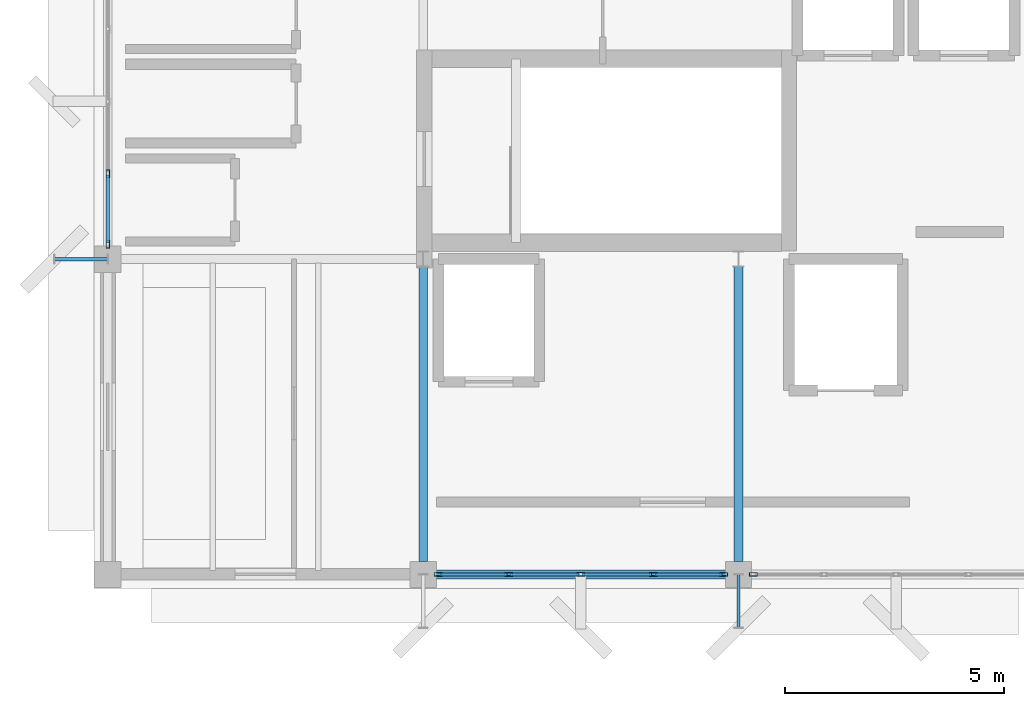
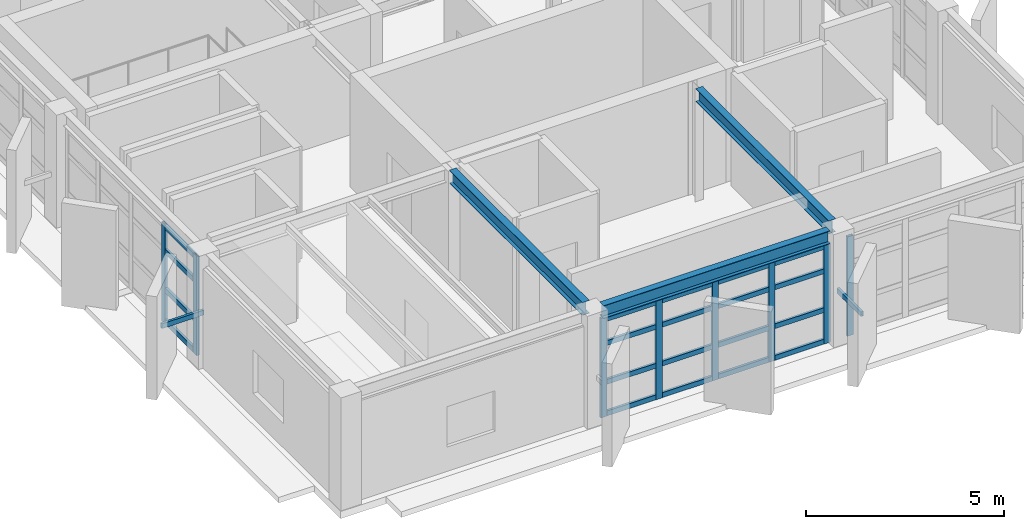
# One storey, part 2 of 13: 30 members, 3 beams, 3 elements without a shape of their own.
"""IFC4 building model written with IfcOpenShell, lengths in metres."""

from ifc_helpers import new_model, si_unit, direction, frame, origin, origin_2d, place, context, subcontext, project, spatial, hollow_rectangle, i_section, extrude, material, layer, layer_set, material_profile, profile_set, type_object, element, aggregate, save


model = new_model("IFC4")

# Units and contexts
model_context = context("Model", 3, precision=1e-05, world=origin(), true_north=direction((0.0, 1.0)))
body_context = subcontext(model_context, "Body", "Model", "MODEL_VIEW")
ifc_project = project(units=[si_unit("LENGTHUNIT", "METRE"), si_unit("AREAUNIT", "SQUARE_METRE"), si_unit("VOLUMEUNIT", "CUBIC_METRE"), si_unit("PLANEANGLEUNIT", "RADIAN"), si_unit("MASSUNIT", "GRAM", prefix="KILO")], contexts=[model_context])

# Site, building, storey
site_placement = place(None, origin())
site = spatial("IfcSite", under=ifc_project, at=site_placement, CompositionType="ELEMENT")
building_placement = place(site_placement, origin())
building = spatial("IfcBuilding", under=site, at=building_placement, Name="Kandorven Conservatory and Botanical Research Centre", CompositionType="ELEMENT")
storey_placement = place(building_placement, frame((0.0, 0.0, 63.14990234375)))
storey = spatial("IfcBuildingStorey", under=building, at=storey_placement, Name="L16", CompositionType="ELEMENT", Elevation=63.14990234375)

# Beams
ifc_material_1 = material(Name="Steel S355 (IS 2062 E350)", Category="steel")
ifc_material_profile_1 = material_profile(ifc_material_1, i_section(OverallWidth=0.199951171875, OverallDepth=0.39990234375, WebThickness=0.008544921875, FlangeThickness=0.012939453125, at=origin_2d()))
ifc_profile_set_1 = profile_set([ifc_material_profile_1], Name="Steel S355 (IS 2062 E350)")
beam_type = type_object("IfcBeamType", Name="Beam_FG-03", PredefinedType="USERDEFINED", material=ifc_profile_set_1)
beam_placement = place(storey_placement, frame((13.489990234375, 6.0, 3.2900390625), z_axis=(1.0, 0.0, 0.0), x_axis=(0.0, 1.0, 0.0)))
element("IfcBeam", 1, at=beam_placement, inside=storey, type_object=beam_type, Name="Primary girder FG-03 TWR L16", ObjectType="GIRDER", PredefinedType="USERDEFINED", context=body_context, shape_type="SweptSolid", body=[
    extrude(i_section(OverallWidth=0.199951171875, OverallDepth=0.39990234375, WebThickness=0.008544921875, FlangeThickness=0.012939453125, at=origin_2d()), origin(), (0.0, 0.0, 1.0), 6.6201171875),
])
for number, where, z_axis, x_axis, name in (
    (2, (13.199951171875, 6.2900390625, 3.2900390625), (0.0, 1.0, 0.0), (-1.0, 0.0, 0.0), "Primary girder FG-03 TWR L16"),
    (3, (20.39990234375, 6.2900390625, 3.2900390625), (0.0, 1.0, 0.0), (-1.0, 0.0, 0.0), "Primary girder FG-03 TWR L16"),
):
    element("IfcBeam", number, at=place(storey_placement, frame(where, z_axis=z_axis, x_axis=x_axis)), inside=storey, type_object=beam_type, Name=name, ObjectType="GIRDER", PredefinedType="USERDEFINED", context=body_context, shape_type="SweptSolid", body=[
        extrude(i_section(OverallWidth=0.199951171875, OverallDepth=0.39990234375, WebThickness=0.008544921875, FlangeThickness=0.012939453125, at=origin_2d()), origin(), (0.0, 0.0, 1.0), 6.744873046875),
    ])

# Curtain wall, members
ifc_material_2 = material(Name="Bronze anodised thermally broken aluminium", Category="aluminium")
ifc_layer = layer(ifc_material_2, 0.179931640625)
ifc_layer_set = layer_set([ifc_layer], Name="Bronze anodised thermally broken aluminium")
curtain_wall_type = type_object("IfcCurtainWallType", Name="CW_Unitised", PredefinedType="USERDEFINED", material=ifc_layer_set)
curtain_wall_1_placement = place(storey_placement, origin())
curtain_wall_1 = element("IfcCurtainWall", 4, at=curtain_wall_1_placement, inside=storey, type_object=curtain_wall_type, Name="Tower laboratory curtain wall CW-TWR-S-L16-2", ObjectType="UNITISED GLAZING", PredefinedType="USERDEFINED")
ifc_material_3 = material(Name="Bronze anodised thermally broken aluminium", Category="aluminium")
ifc_material_profile_2 = material_profile(ifc_material_3, hollow_rectangle(XDim=0.080078125, YDim=0.179931640625, WallThickness=0.006103515625, at=origin_2d()))
ifc_profile_set_2 = profile_set([ifc_material_profile_2], Name="Bronze anodised thermally broken aluminium")
member_type_1 = type_object("IfcMemberType", Name="CW_Mullion", PredefinedType="MULLION", material=ifc_profile_set_2)
member_1_placement = place(storey_placement, frame((13.5400390625, 6.0, 0.0), z_axis=(0.0, 0.0, 1.0), x_axis=(0.0, 1.0, 0.0)))
member_1 = element("IfcMember", 5, at=member_1_placement, type_object=member_type_1, Name="CW-01 mullion 1", PredefinedType="MULLION", context=body_context, shape_type="SweptSolid", body=[
    extrude(hollow_rectangle(XDim=0.080078125, YDim=0.179931640625, WallThickness=0.006103515625, at=origin_2d()), origin(), (0.0, 0.0, 1.0), 3.070068359375),
])
member_2_placement = place(storey_placement, frame((15.14990234375, 6.0, 0.0), z_axis=(0.0, 0.0, 1.0), x_axis=(0.0, 1.0, 0.0)))
member_2 = element("IfcMember", 6, at=member_2_placement, type_object=member_type_1, Name="CW-01 mullion 2", PredefinedType="MULLION", context=body_context, shape_type="SweptSolid", body=[
    extrude(hollow_rectangle(XDim=0.080078125, YDim=0.179931640625, WallThickness=0.006103515625, at=origin_2d()), origin(), (0.0, 0.0, 1.0), 3.070068359375),
])
member_3_placement = place(storey_placement, frame((16.800048828125, 6.0, 0.0), z_axis=(0.0, 0.0, 1.0), x_axis=(0.0, 1.0, 0.0)))
member_3 = element("IfcMember", 7, at=member_3_placement, type_object=member_type_1, Name="CW-01 mullion 3", PredefinedType="MULLION", context=body_context, shape_type="SweptSolid", body=[
    extrude(hollow_rectangle(XDim=0.080078125, YDim=0.179931640625, WallThickness=0.006103515625, at=origin_2d()), origin(), (0.0, 0.0, 1.0), 3.070068359375),
])
member_4_placement = place(storey_placement, frame((18.449951171875, 6.0, 0.0), z_axis=(0.0, 0.0, 1.0), x_axis=(0.0, 1.0, 0.0)))
member_4 = element("IfcMember", 8, at=member_4_placement, type_object=member_type_1, Name="CW-01 mullion 4", PredefinedType="MULLION", context=body_context, shape_type="SweptSolid", body=[
    extrude(hollow_rectangle(XDim=0.080078125, YDim=0.179931640625, WallThickness=0.006103515625, at=origin_2d()), origin(), (0.0, 0.0, 1.0), 3.070068359375),
])
member_5_placement = place(storey_placement, frame((20.06005859375, 6.0, 0.0), z_axis=(0.0, 0.0, 1.0), x_axis=(0.0, 1.0, 0.0)))
member_5 = element("IfcMember", 9, at=member_5_placement, type_object=member_type_1, Name="CW-01 mullion 5", PredefinedType="MULLION", context=body_context, shape_type="SweptSolid", body=[
    extrude(hollow_rectangle(XDim=0.080078125, YDim=0.179931640625, WallThickness=0.006103515625, at=origin_2d()), origin(), (0.0, 0.0, 1.0), 3.070068359375),
])

# Curtain wall, member
curtain_wall_2_placement = place(storey_placement, origin())
curtain_wall_2 = element("IfcCurtainWall", 10, at=curtain_wall_2_placement, inside=storey, type_object=curtain_wall_type, Name="Tower laboratory curtain wall CW-TWR-S-L16-3", ObjectType="UNITISED GLAZING", PredefinedType="USERDEFINED")
member_6_placement = place(storey_placement, frame((20.739990234375, 6.0, 0.0), z_axis=(0.0, 0.0, 1.0), x_axis=(0.0, 1.0, 0.0)))
member_6 = element("IfcMember", 11, at=member_6_placement, type_object=member_type_1, Name="CW-01 mullion 1", PredefinedType="MULLION", context=body_context, shape_type="SweptSolid", body=[
    extrude(hollow_rectangle(XDim=0.080078125, YDim=0.179931640625, WallThickness=0.006103515625, at=origin_2d()), origin(), (0.0, 0.0, 1.0), 3.070068359375),
])
aggregate(curtain_wall_2, [member_6])

# Curtain wall, members
curtain_wall_3_placement = place(storey_placement, origin())
curtain_wall_3 = element("IfcCurtainWall", 12, at=curtain_wall_3_placement, inside=storey, type_object=curtain_wall_type, Name="Tower laboratory curtain wall CW-TWR-W-L16-2", ObjectType="UNITISED GLAZING", PredefinedType="USERDEFINED")
member_7_placement = place(storey_placement, frame((6.0, 13.5400390625, 0.0), z_axis=(0.0, 0.0, 1.0), x_axis=(-1.0, 0.0, 0.0)))
member_7 = element("IfcMember", 13, at=member_7_placement, type_object=member_type_1, Name="CW-01 mullion 1", PredefinedType="MULLION", context=body_context, shape_type="SweptSolid", body=[
    extrude(hollow_rectangle(XDim=0.080078125, YDim=0.179931640625, WallThickness=0.006103515625, at=origin_2d()), origin(), (0.0, 0.0, 1.0), 3.070068359375),
])
member_8_placement = place(storey_placement, frame((6.0, 15.14990234375, 0.0), z_axis=(0.0, 0.0, 1.0), x_axis=(-1.0, 0.0, 0.0)))
member_8 = element("IfcMember", 14, at=member_8_placement, type_object=member_type_1, Name="CW-01 mullion 2", PredefinedType="MULLION", context=body_context, shape_type="SweptSolid", body=[
    extrude(hollow_rectangle(XDim=0.080078125, YDim=0.179931640625, WallThickness=0.006103515625, at=origin_2d()), origin(), (0.0, 0.0, 1.0), 3.070068359375),
])

# Member
ifc_material_4 = material(Name="Bronze anodised thermally broken aluminium", Category="aluminium")
ifc_material_profile_3 = material_profile(ifc_material_4, hollow_rectangle(XDim=0.074951171875, YDim=0.14990234375, WallThickness=0.006103515625, at=origin_2d()))
ifc_profile_set_3 = profile_set([ifc_material_profile_3], Name="Bronze anodised thermally broken aluminium")
member_type_2 = type_object("IfcMemberType", Name="CW_Transom", PredefinedType="USERDEFINED", material=ifc_profile_set_3)
member_9_placement = place(storey_placement, frame((13.580078125, 6.0, 0.0751953125), z_axis=(1.0, 0.0, 0.0), x_axis=(0.0, 1.0, 0.0)))
member_9 = element("IfcMember", 15, at=member_9_placement, type_object=member_type_2, Name="CW-01 transom 1.1", ObjectType="TRANSOM", PredefinedType="USERDEFINED", context=body_context, shape_type="SweptSolid", body=[
    extrude(hollow_rectangle(XDim=0.074951171875, YDim=0.14990234375, WallThickness=0.006103515625, at=origin_2d()), origin(), (0.0, 0.0, 1.0), 1.530029296875),
])

member_10_placement = place(storey_placement, frame((13.580078125, 6.0, 1.050048828125), z_axis=(1.0, 0.0, 0.0), x_axis=(0.0, 1.0, 0.0)))
member_10 = element("IfcMember", 16, at=member_10_placement, type_object=member_type_2, Name="CW-01 transom 1.2", ObjectType="TRANSOM", PredefinedType="USERDEFINED", context=body_context, shape_type="SweptSolid", body=[
    extrude(hollow_rectangle(XDim=0.074951171875, YDim=0.14990234375, WallThickness=0.006103515625, at=origin_2d()), origin(), (0.0, 0.0, 1.0), 1.530029296875),
])

member_11_placement = place(storey_placement, frame((13.580078125, 6.0, 2.25), z_axis=(1.0, 0.0, 0.0), x_axis=(0.0, 1.0, 0.0)))
member_11 = element("IfcMember", 17, at=member_11_placement, type_object=member_type_2, Name="CW-01 transom 1.3", ObjectType="TRANSOM", PredefinedType="USERDEFINED", context=body_context, shape_type="SweptSolid", body=[
    extrude(hollow_rectangle(XDim=0.074951171875, YDim=0.14990234375, WallThickness=0.006103515625, at=origin_2d()), origin(), (0.0, 0.0, 1.0), 1.530029296875),
])

member_12_placement = place(storey_placement, frame((13.580078125, 6.0, 2.9951171875), z_axis=(1.0, 0.0, 0.0), x_axis=(0.0, 1.0, 0.0)))
member_12 = element("IfcMember", 18, at=member_12_placement, type_object=member_type_2, Name="CW-01 transom 1.4", ObjectType="TRANSOM", PredefinedType="USERDEFINED", context=body_context, shape_type="SweptSolid", body=[
    extrude(hollow_rectangle(XDim=0.074951171875, YDim=0.14990234375, WallThickness=0.006103515625, at=origin_2d()), origin(), (0.0, 0.0, 1.0), 1.530029296875),
])

member_13_placement = place(storey_placement, frame((15.18994140625, 6.0, 0.0751953125), z_axis=(1.0, 0.0, 0.0), x_axis=(0.0, 1.0, 0.0)))
member_13 = element("IfcMember", 19, at=member_13_placement, type_object=member_type_2, Name="CW-01 transom 2.1", ObjectType="TRANSOM", PredefinedType="USERDEFINED", context=body_context, shape_type="SweptSolid", body=[
    extrude(hollow_rectangle(XDim=0.074951171875, YDim=0.14990234375, WallThickness=0.006103515625, at=origin_2d()), origin(), (0.0, 0.0, 1.0), 1.570068359375),
])

member_14_placement = place(storey_placement, frame((15.18994140625, 6.0, 1.050048828125), z_axis=(1.0, 0.0, 0.0), x_axis=(0.0, 1.0, 0.0)))
member_14 = element("IfcMember", 20, at=member_14_placement, type_object=member_type_2, Name="CW-01 transom 2.2", ObjectType="TRANSOM", PredefinedType="USERDEFINED", context=body_context, shape_type="SweptSolid", body=[
    extrude(hollow_rectangle(XDim=0.074951171875, YDim=0.14990234375, WallThickness=0.006103515625, at=origin_2d()), origin(), (0.0, 0.0, 1.0), 1.570068359375),
])

member_15_placement = place(storey_placement, frame((15.18994140625, 6.0, 2.25), z_axis=(1.0, 0.0, 0.0), x_axis=(0.0, 1.0, 0.0)))
member_15 = element("IfcMember", 21, at=member_15_placement, type_object=member_type_2, Name="CW-01 transom 2.3", ObjectType="TRANSOM", PredefinedType="USERDEFINED", context=body_context, shape_type="SweptSolid", body=[
    extrude(hollow_rectangle(XDim=0.074951171875, YDim=0.14990234375, WallThickness=0.006103515625, at=origin_2d()), origin(), (0.0, 0.0, 1.0), 1.570068359375),
])

member_16_placement = place(storey_placement, frame((15.18994140625, 6.0, 2.9951171875), z_axis=(1.0, 0.0, 0.0), x_axis=(0.0, 1.0, 0.0)))
member_16 = element("IfcMember", 22, at=member_16_placement, type_object=member_type_2, Name="CW-01 transom 2.4", ObjectType="TRANSOM", PredefinedType="USERDEFINED", context=body_context, shape_type="SweptSolid", body=[
    extrude(hollow_rectangle(XDim=0.074951171875, YDim=0.14990234375, WallThickness=0.006103515625, at=origin_2d()), origin(), (0.0, 0.0, 1.0), 1.570068359375),
])

member_17_placement = place(storey_placement, frame((16.840087890625, 6.0, 0.0751953125), z_axis=(1.0, 0.0, 0.0), x_axis=(0.0, 1.0, 0.0)))
member_17 = element("IfcMember", 23, at=member_17_placement, type_object=member_type_2, Name="CW-01 transom 3.1", ObjectType="TRANSOM", PredefinedType="USERDEFINED", context=body_context, shape_type="SweptSolid", body=[
    extrude(hollow_rectangle(XDim=0.074951171875, YDim=0.14990234375, WallThickness=0.006103515625, at=origin_2d()), origin(), (0.0, 0.0, 1.0), 1.56982421875),
])

member_18_placement = place(storey_placement, frame((16.840087890625, 6.0, 1.050048828125), z_axis=(1.0, 0.0, 0.0), x_axis=(0.0, 1.0, 0.0)))
member_18 = element("IfcMember", 24, at=member_18_placement, type_object=member_type_2, Name="CW-01 transom 3.2", ObjectType="TRANSOM", PredefinedType="USERDEFINED", context=body_context, shape_type="SweptSolid", body=[
    extrude(hollow_rectangle(XDim=0.074951171875, YDim=0.14990234375, WallThickness=0.006103515625, at=origin_2d()), origin(), (0.0, 0.0, 1.0), 1.56982421875),
])

member_19_placement = place(storey_placement, frame((16.840087890625, 6.0, 2.25), z_axis=(1.0, 0.0, 0.0), x_axis=(0.0, 1.0, 0.0)))
member_19 = element("IfcMember", 25, at=member_19_placement, type_object=member_type_2, Name="CW-01 transom 3.3", ObjectType="TRANSOM", PredefinedType="USERDEFINED", context=body_context, shape_type="SweptSolid", body=[
    extrude(hollow_rectangle(XDim=0.074951171875, YDim=0.14990234375, WallThickness=0.006103515625, at=origin_2d()), origin(), (0.0, 0.0, 1.0), 1.56982421875),
])

member_20_placement = place(storey_placement, frame((16.840087890625, 6.0, 2.9951171875), z_axis=(1.0, 0.0, 0.0), x_axis=(0.0, 1.0, 0.0)))
member_20 = element("IfcMember", 26, at=member_20_placement, type_object=member_type_2, Name="CW-01 transom 3.4", ObjectType="TRANSOM", PredefinedType="USERDEFINED", context=body_context, shape_type="SweptSolid", body=[
    extrude(hollow_rectangle(XDim=0.074951171875, YDim=0.14990234375, WallThickness=0.006103515625, at=origin_2d()), origin(), (0.0, 0.0, 1.0), 1.56982421875),
])

member_21_placement = place(storey_placement, frame((18.489990234375, 6.0, 0.0751953125), z_axis=(1.0, 0.0, 0.0), x_axis=(0.0, 1.0, 0.0)))
member_21 = element("IfcMember", 27, at=member_21_placement, type_object=member_type_2, Name="CW-01 transom 4.1", ObjectType="TRANSOM", PredefinedType="USERDEFINED", context=body_context, shape_type="SweptSolid", body=[
    extrude(hollow_rectangle(XDim=0.074951171875, YDim=0.14990234375, WallThickness=0.006103515625, at=origin_2d()), origin(), (0.0, 0.0, 1.0), 1.530029296875),
])

member_22_placement = place(storey_placement, frame((18.489990234375, 6.0, 1.050048828125), z_axis=(1.0, 0.0, 0.0), x_axis=(0.0, 1.0, 0.0)))
member_22 = element("IfcMember", 28, at=member_22_placement, type_object=member_type_2, Name="CW-01 transom 4.2", ObjectType="TRANSOM", PredefinedType="USERDEFINED", context=body_context, shape_type="SweptSolid", body=[
    extrude(hollow_rectangle(XDim=0.074951171875, YDim=0.14990234375, WallThickness=0.006103515625, at=origin_2d()), origin(), (0.0, 0.0, 1.0), 1.530029296875),
])

member_23_placement = place(storey_placement, frame((18.489990234375, 6.0, 2.25), z_axis=(1.0, 0.0, 0.0), x_axis=(0.0, 1.0, 0.0)))
member_23 = element("IfcMember", 29, at=member_23_placement, type_object=member_type_2, Name="CW-01 transom 4.3", ObjectType="TRANSOM", PredefinedType="USERDEFINED", context=body_context, shape_type="SweptSolid", body=[
    extrude(hollow_rectangle(XDim=0.074951171875, YDim=0.14990234375, WallThickness=0.006103515625, at=origin_2d()), origin(), (0.0, 0.0, 1.0), 1.530029296875),
])

member_24_placement = place(storey_placement, frame((18.489990234375, 6.0, 2.9951171875), z_axis=(1.0, 0.0, 0.0), x_axis=(0.0, 1.0, 0.0)))
member_24 = element("IfcMember", 30, at=member_24_placement, type_object=member_type_2, Name="CW-01 transom 4.4", ObjectType="TRANSOM", PredefinedType="USERDEFINED", context=body_context, shape_type="SweptSolid", body=[
    extrude(hollow_rectangle(XDim=0.074951171875, YDim=0.14990234375, WallThickness=0.006103515625, at=origin_2d()), origin(), (0.0, 0.0, 1.0), 1.530029296875),
])

aggregate(curtain_wall_1, [member_1, member_2, member_3, member_4, member_5, member_9, member_10, member_11, member_12, member_13, member_14, member_15, member_16, member_17, member_18, member_19, member_20, member_21, member_22, member_23, member_24])

member_25_placement = place(storey_placement, frame((6.0, 13.580078125, 0.0751953125), z_axis=(0.0, 1.0, 0.0), x_axis=(-1.0, 0.0, 0.0)))
member_25 = element("IfcMember", 31, at=member_25_placement, type_object=member_type_2, Name="CW-01 transom 1.1", ObjectType="TRANSOM", PredefinedType="USERDEFINED", context=body_context, shape_type="SweptSolid", body=[
    extrude(hollow_rectangle(XDim=0.074951171875, YDim=0.14990234375, WallThickness=0.006103515625, at=origin_2d()), origin(), (0.0, 0.0, 1.0), 1.530029296875),
])

member_26_placement = place(storey_placement, frame((6.0, 13.580078125, 1.050048828125), z_axis=(0.0, 1.0, 0.0), x_axis=(-1.0, 0.0, 0.0)))
member_26 = element("IfcMember", 32, at=member_26_placement, type_object=member_type_2, Name="CW-01 transom 1.2", ObjectType="TRANSOM", PredefinedType="USERDEFINED", context=body_context, shape_type="SweptSolid", body=[
    extrude(hollow_rectangle(XDim=0.074951171875, YDim=0.14990234375, WallThickness=0.006103515625, at=origin_2d()), origin(), (0.0, 0.0, 1.0), 1.530029296875),
])

member_27_placement = place(storey_placement, frame((6.0, 13.580078125, 2.25), z_axis=(0.0, 1.0, 0.0), x_axis=(-1.0, 0.0, 0.0)))
member_27 = element("IfcMember", 33, at=member_27_placement, type_object=member_type_2, Name="CW-01 transom 1.3", ObjectType="TRANSOM", PredefinedType="USERDEFINED", context=body_context, shape_type="SweptSolid", body=[
    extrude(hollow_rectangle(XDim=0.074951171875, YDim=0.14990234375, WallThickness=0.006103515625, at=origin_2d()), origin(), (0.0, 0.0, 1.0), 1.530029296875),
])

member_28_placement = place(storey_placement, frame((6.0, 13.580078125, 2.9951171875), z_axis=(0.0, 1.0, 0.0), x_axis=(-1.0, 0.0, 0.0)))
member_28 = element("IfcMember", 34, at=member_28_placement, type_object=member_type_2, Name="CW-01 transom 1.4", ObjectType="TRANSOM", PredefinedType="USERDEFINED", context=body_context, shape_type="SweptSolid", body=[
    extrude(hollow_rectangle(XDim=0.074951171875, YDim=0.14990234375, WallThickness=0.006103515625, at=origin_2d()), origin(), (0.0, 0.0, 1.0), 1.530029296875),
])

aggregate(curtain_wall_3, [member_7, member_8, member_25, member_26, member_27, member_28])

# Members
ifc_material_5 = material(Name="Steel S355 (IS 2062 E350)", Category="steel")
ifc_material_profile_4 = material_profile(ifc_material_5, hollow_rectangle(XDim=0.074951171875, YDim=0.14990234375, WallThickness=0.006103515625, at=origin_2d()))
ifc_profile_set_4 = profile_set([ifc_material_profile_4], Name="Steel S355 (IS 2062 E350)")
member_type_3 = type_object("IfcMemberType", Name="Mem_SF-01", PredefinedType="STRUT", material=ifc_profile_set_4)
for number, where, z_axis, x_axis, name in (
    (35, (20.39990234375, 6.0, 1.5), (0.0, -1.0, 0.0), (1.0, 0.0, 0.0), "Solar fin steel outrigger strut SF-01 #147"),
    (36, (6.0, 13.199951171875, 1.5), (-1.0, 0.0, 0.0), (0.0, -1.0, 0.0), "Solar fin steel outrigger strut SF-01 #149"),
):
    element("IfcMember", number, at=place(storey_placement, frame(where, z_axis=z_axis, x_axis=x_axis)), inside=storey, type_object=member_type_3, Name=name, PredefinedType="STRUT", context=body_context, shape_type="SweptSolid", body=[
        extrude(hollow_rectangle(XDim=0.074951171875, YDim=0.14990234375, WallThickness=0.006103515625, at=origin_2d()), origin(), (0.0, 0.0, 1.0), 1.219970703125),
    ])

save(model, "model.ifc")
